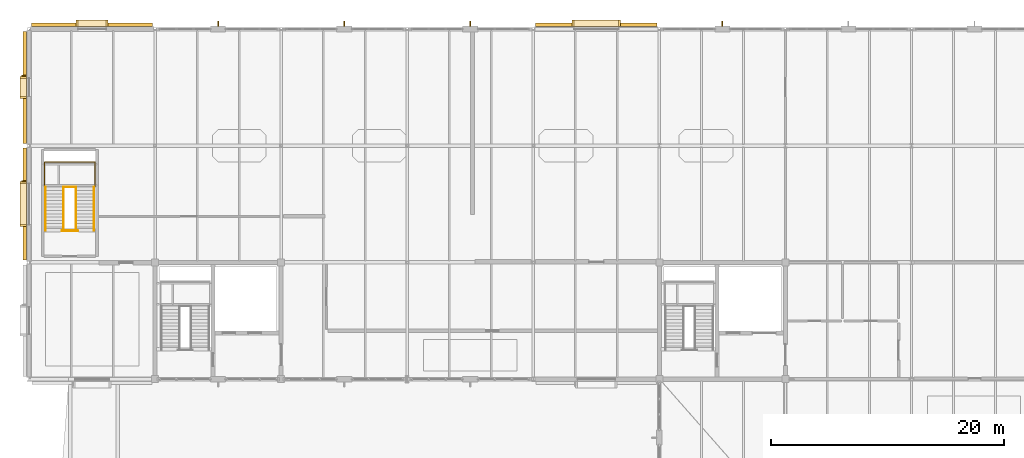
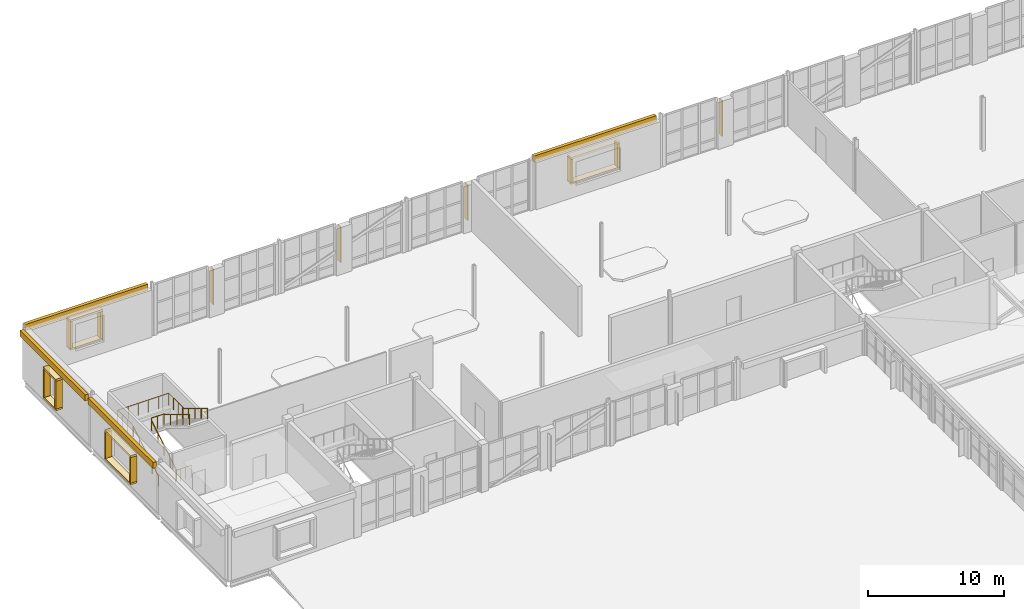
# One storey, part 84 of 86: 20 coverings, 7 railings, 6 shading devices.
"""IFC4 building model written with IfcOpenShell, lengths in metres."""

from ifc_helpers import new_model, si_unit, direction, frame, origin, origin_2d, place, context, subcontext, project, spatial, rectangle, circle, extrude, material, layer, layer_set, type_object, element, save


model = new_model("IFC4")

# Units and contexts
model_context = context("Model", 3, precision=1e-05, world=origin(), true_north=direction((0.0, 1.0)))
body_context = subcontext(model_context, "Body", "Model", "MODEL_VIEW")
ifc_project = project(units=[si_unit("LENGTHUNIT", "METRE"), si_unit("AREAUNIT", "SQUARE_METRE"), si_unit("VOLUMEUNIT", "CUBIC_METRE"), si_unit("PLANEANGLEUNIT", "RADIAN"), si_unit("MASSUNIT", "GRAM", prefix="KILO")], contexts=[model_context])

# Site, building, storey
site_placement = place(None, origin())
site = spatial("IfcSite", under=ifc_project, at=site_placement, CompositionType="ELEMENT")
building_placement = place(site_placement, origin())
building = spatial("IfcBuilding", under=site, at=building_placement, Name="Tasgan Crest Museum", CompositionType="ELEMENT")
storey_placement = place(building_placement, frame((0.0, 0.0, 24.0)))
storey = spatial("IfcBuildingStorey", under=building, at=storey_placement, Name="L04", CompositionType="ELEMENT", Elevation=24.0)

# Coverings
ifc_material_1 = material(Name="Honed Rose-Red Mongolian Granite", Category="masonry")
ifc_layer_1 = layer(ifc_material_1, 0.0400390625, Name="COV-GRANITE-ROSE")
ifc_layer_set_1 = layer_set([ifc_layer_1], Name="Honed Rose-Red Mongolian Granite")
covering_type_1 = type_object("IfcCoveringType", Name="COV-GRANITE-ROSE", PredefinedType="CLADDING", material=ifc_layer_set_1)
for number, where, z_axis, x_axis, name in (
    (1, (50.590087890625, 112.5, 1.0), (0.0, 0.0, 1.0), (-1.0, 0.0, 0.0), "Deep window reveal jamb L04-061"),
    (2, (46.610107421875, 112.5, 1.0), (0.0, 0.0, 1.0), (-1.0, 0.0, 0.0), "Deep window reveal jamb L04-061"),
):
    element("IfcCovering", number, at=place(storey_placement, frame(where, z_axis=z_axis, x_axis=x_axis)), inside=storey, type_object=covering_type_1, Name=name, PredefinedType="CLADDING", context=body_context, shape_type="SweptSolid", body=[
        extrude(rectangle(XDim=0.179931640625, YDim=0.550048828125, at=origin_2d()), origin(), (0.0, 0.0, 1.0), 2.10009765625),
    ])
for number, where, z_axis, x_axis, name in (
    (3, (6.68994140625, 112.5, 1.0), (0.0, 0.0, 1.0), (-1.0, 0.0, 0.0), "Deep window reveal jamb L04-062"),
    (4, (4.110107421875, 112.5, 1.0), (0.0, 0.0, 1.0), (-1.0, 0.0, 0.0), "Deep window reveal jamb L04-062"),
):
    element("IfcCovering", number, at=place(storey_placement, frame(where, z_axis=z_axis, x_axis=x_axis)), inside=storey, type_object=covering_type_1, Name=name, PredefinedType="CLADDING", context=body_context, shape_type="SweptSolid", body=[
        extrude(rectangle(XDim=0.179931640625, YDim=0.550048828125, at=origin_2d()), origin(), (0.0, 0.0, 1.0), 2.39990234375),
    ])
for number, where, z_axis, x_axis, name in (
    (5, (-0.5, 107.864990234375, 1.0), (0.0, 0.0, 1.0), (0.0, -1.0, 0.0), "Deep window reveal jamb L04-063"),
    (6, (-0.5, 106.135009765625, 1.0), (0.0, 0.0, 1.0), (0.0, -1.0, 0.0), "Deep window reveal jamb L04-063"),
):
    element("IfcCovering", number, at=place(storey_placement, frame(where, z_axis=z_axis, x_axis=x_axis)), inside=storey, type_object=covering_type_1, Name=name, PredefinedType="CLADDING", context=body_context, shape_type="SweptSolid", body=[
        extrude(rectangle(XDim=0.179931640625, YDim=0.550048828125, at=origin_2d()), origin(), (0.0, 0.0, 1.0), 2.5),
    ])
for number, where, z_axis, x_axis, name in (
    (7, (-0.5, 98.840087890625, 1.0), (0.0, 0.0, 1.0), (0.0, -1.0, 0.0), "Deep window reveal jamb L04-064"),
    (8, (-0.5, 95.159912109375, 1.0), (0.0, 0.0, 1.0), (0.0, -1.0, 0.0), "Deep window reveal jamb L04-064"),
):
    element("IfcCovering", number, at=place(storey_placement, frame(where, z_axis=z_axis, x_axis=x_axis)), inside=storey, type_object=covering_type_1, Name=name, PredefinedType="CLADDING", context=body_context, shape_type="SweptSolid", body=[
        extrude(rectangle(XDim=0.179931640625, YDim=0.550048828125, at=origin_2d()), origin(), (0.0, 0.0, 1.0), 2.300048828125),
    ])
ifc_material_2 = material(Name="Honed Buff Limestone", Category="masonry")
ifc_layer_2 = layer(ifc_material_2, 0.044921875, Name="COV-LIMESTONE-BUFF")
ifc_layer_set_2 = layer_set([ifc_layer_2], Name="Honed Buff Limestone")
covering_type_2 = type_object("IfcCoveringType", Name="COV-LIMESTONE-BUFF", PredefinedType="CLADDING", material=ifc_layer_set_2)
covering_1_placement = place(storey_placement, frame((48.60009765625, 112.364990234375, 3.9599609375), z_axis=(0.0, 0.0, 1.0), x_axis=(-1.0, 0.0, 0.0)))
element("IfcCovering", 9, at=covering_1_placement, inside=storey, type_object=covering_type_2, Name="Stone frieze cladding L04", PredefinedType="CLADDING", context=body_context, shape_type="SweptSolid", body=[
    extrude(rectangle(XDim=10.387939453125, YDim=0.280029296875, at=origin_2d()), origin(), (0.0, 0.0, 1.0), 0.550048828125),
])
covering_2_placement = place(storey_placement, frame((48.60009765625, 112.5, 3.10009765625), z_axis=(0.0, 0.0, 1.0), x_axis=(-1.0, 0.0, 0.0)))
element("IfcCovering", 10, at=covering_2_placement, inside=storey, type_object=covering_type_2, Name="Deep window hood L04-061", PredefinedType="CLADDING", context=body_context, shape_type="SweptSolid", body=[
    extrude(rectangle(XDim=4.159912109375, YDim=0.550048828125, at=origin_2d()), origin(), (0.0, 0.0, 1.0), 0.179931640625),
])
covering_3_placement = place(storey_placement, frame((48.60009765625, 112.5, 0.85986328125), z_axis=(0.0, 0.0, 1.0), x_axis=(-1.0, 0.0, 0.0)))
element("IfcCovering", 11, at=covering_3_placement, inside=storey, type_object=covering_type_2, Name="Deep window sill L04-061", PredefinedType="CLADDING", context=body_context, shape_type="SweptSolid", body=[
    extrude(rectangle(XDim=4.159912109375, YDim=0.550048828125, at=origin_2d()), origin(), (0.0, 0.0, 1.0), 0.139892578125),
])
covering_4_placement = place(storey_placement, frame((5.39990234375, 112.364990234375, 3.9599609375), z_axis=(0.0, 0.0, 1.0), x_axis=(-1.0, 0.0, 0.0)))
element("IfcCovering", 12, at=covering_4_placement, inside=storey, type_object=covering_type_2, Name="Stone frieze cladding L04", PredefinedType="CLADDING", context=body_context, shape_type="SweptSolid", body=[
    extrude(rectangle(XDim=10.387939453125, YDim=0.280029296875, at=origin_2d()), origin(), (0.0, 0.0, 1.0), 0.550048828125),
])
covering_5_placement = place(storey_placement, frame((5.39990234375, 112.5, 3.39990234375), z_axis=(0.0, 0.0, 1.0), x_axis=(-1.0, 0.0, 0.0)))
element("IfcCovering", 13, at=covering_5_placement, inside=storey, type_object=covering_type_2, Name="Deep window hood L04-062", PredefinedType="CLADDING", context=body_context, shape_type="SweptSolid", body=[
    extrude(rectangle(XDim=2.760009765625, YDim=0.550048828125, at=origin_2d()), origin(), (0.0, 0.0, 1.0), 0.179931640625),
])
covering_6_placement = place(storey_placement, frame((5.39990234375, 112.5, 0.85986328125), z_axis=(0.0, 0.0, 1.0), x_axis=(-1.0, 0.0, 0.0)))
element("IfcCovering", 14, at=covering_6_placement, inside=storey, type_object=covering_type_2, Name="Deep window sill L04-062", PredefinedType="CLADDING", context=body_context, shape_type="SweptSolid", body=[
    extrude(rectangle(XDim=2.760009765625, YDim=0.550048828125, at=origin_2d()), origin(), (0.0, 0.0, 1.0), 0.139892578125),
])
covering_7_placement = place(storey_placement, frame((-0.364990234375, 107.0, 3.9599609375), z_axis=(0.0, 0.0, 1.0), x_axis=(0.0, -1.0, 0.0)))
element("IfcCovering", 15, at=covering_7_placement, inside=storey, type_object=covering_type_2, Name="Stone frieze cladding L04", PredefinedType="CLADDING", context=body_context, shape_type="SweptSolid", body=[
    extrude(rectangle(XDim=9.587890625, YDim=0.280029296875, at=origin_2d()), origin(), (0.0, 0.0, 1.0), 0.550048828125),
])
covering_8_placement = place(storey_placement, frame((-0.5, 107.0, 3.5), z_axis=(0.0, 0.0, 1.0), x_axis=(0.0, -1.0, 0.0)))
element("IfcCovering", 16, at=covering_8_placement, inside=storey, type_object=covering_type_2, Name="Deep window hood L04-063", PredefinedType="CLADDING", context=body_context, shape_type="SweptSolid", body=[
    extrude(rectangle(XDim=1.909912109375, YDim=0.550048828125, at=origin_2d()), origin(), (0.0, 0.0, 1.0), 0.179931640625),
])
covering_9_placement = place(storey_placement, frame((-0.5, 107.0, 0.85986328125), z_axis=(0.0, 0.0, 1.0), x_axis=(0.0, -1.0, 0.0)))
element("IfcCovering", 17, at=covering_9_placement, inside=storey, type_object=covering_type_2, Name="Deep window sill L04-063", PredefinedType="CLADDING", context=body_context, shape_type="SweptSolid", body=[
    extrude(rectangle(XDim=1.909912109375, YDim=0.550048828125, at=origin_2d()), origin(), (0.0, 0.0, 1.0), 0.139892578125),
])
covering_10_placement = place(storey_placement, frame((-0.364990234375, 97.0, 3.9599609375), z_axis=(0.0, 0.0, 1.0), x_axis=(0.0, -1.0, 0.0)))
element("IfcCovering", 18, at=covering_10_placement, inside=storey, type_object=covering_type_2, Name="Stone frieze cladding L04", PredefinedType="CLADDING", context=body_context, shape_type="SweptSolid", body=[
    extrude(rectangle(XDim=9.587890625, YDim=0.280029296875, at=origin_2d()), origin(), (0.0, 0.0, 1.0), 0.550048828125),
])
covering_11_placement = place(storey_placement, frame((-0.5, 97.0, 3.2998046875), z_axis=(0.0, 0.0, 1.0), x_axis=(0.0, -1.0, 0.0)))
element("IfcCovering", 19, at=covering_11_placement, inside=storey, type_object=covering_type_2, Name="Deep window hood L04-064", PredefinedType="CLADDING", context=body_context, shape_type="SweptSolid", body=[
    extrude(rectangle(XDim=3.860107421875, YDim=0.550048828125, at=origin_2d()), origin(), (0.0, 0.0, 1.0), 0.179931640625),
])
covering_12_placement = place(storey_placement, frame((-0.5, 97.0, 0.85986328125), z_axis=(0.0, 0.0, 1.0), x_axis=(0.0, -1.0, 0.0)))
element("IfcCovering", 20, at=covering_12_placement, inside=storey, type_object=covering_type_2, Name="Deep window sill L04-064", PredefinedType="CLADDING", context=body_context, shape_type="SweptSolid", body=[
    extrude(rectangle(XDim=3.860107421875, YDim=0.550048828125, at=origin_2d()), origin(), (0.0, 0.0, 1.0), 0.139892578125),
])

# Railings
ifc_material_3 = material(Name="Brushed Bronze and Toughened Glass", Category="glass")
railing_type_1 = type_object("IfcRailingType", Name="RL-INT-GUARD-1120", PredefinedType="GUARDRAIL", material=ifc_material_3)
railing_1_placement = place(storey_placement, frame((2.820068359375, 94.719970703125, 0.0)))
element("IfcRailing", 21, at=railing_1_placement, inside=storey, type_object=railing_type_1, Name="GALW floor slot guard L04", PredefinedType="GUARDRAIL", context=body_context, shape_type="SweptSolid", body=[
    extrude(circle(Radius=0.02392578125, at=origin_2d()), frame((0.0, 0.0, 1.09619140625), z_axis=(1.0, 0.0, 0.0), x_axis=(0.0, 1.0, 0.0)), (0.0, 0.0, 1.0), 1.35986328125),
    extrude(circle(Radius=0.02099609375, at=origin_2d()), origin(), (0.0, 0.0, 1.0), 1.072021484375),
    extrude(circle(Radius=0.02099609375, at=origin_2d()), frame((0.453369140625, 0.0, 0.0)), (0.0, 0.0, 1.0), 1.072021484375),
    extrude(circle(Radius=0.02099609375, at=origin_2d()), frame((0.906494140625, 0.0, 0.0)), (0.0, 0.0, 1.0), 1.072021484375),
    extrude(circle(Radius=0.02099609375, at=origin_2d()), frame((1.35986328125, 0.0, 0.0)), (0.0, 0.0, 1.0), 1.072021484375),
])
railing_2_placement = place(storey_placement, frame((2.9599609375, 98.47509765625, 2.39990234375)))
element("IfcRailing", 22, at=railing_2_placement, inside=storey, type_object=railing_type_1, Name="Stair half-landing well guard ST-GW-L04 T1", PredefinedType="GUARDRAIL", context=body_context, shape_type="SweptSolid", body=[
    extrude(circle(Radius=0.02392578125, at=origin_2d()), frame((0.0, 0.0, 1.09619140625), z_axis=(1.0, 0.0, 0.0), x_axis=(0.0, 1.0, 0.0)), (0.0, 0.0, 1.0), 1.080078125),
    extrude(circle(Radius=0.02099609375, at=origin_2d()), origin(), (0.0, 0.0, 1.0), 1.072021484375),
    extrude(circle(Radius=0.02099609375, at=origin_2d()), frame((0.5400390625, 0.0, 0.0)), (0.0, 0.0, 1.0), 1.072021484375),
    extrude(circle(Radius=0.02099609375, at=origin_2d()), frame((1.080078125, 0.0, 0.0)), (0.0, 0.0, 1.0), 1.072021484375),
])
railing_3_placement = place(storey_placement, frame((1.340087890625, 98.4951171875, 2.39990234375)))
element("IfcRailing", 23, at=railing_3_placement, inside=storey, type_object=railing_type_1, Name="Stair half-landing perimeter guard ST-GW-L04 T1", PredefinedType="GUARDRAIL", context=body_context, shape_type="SweptSolid", body=[
    extrude(circle(Radius=0.02392578125, at=origin_2d()), frame((0.0, 0.0, 1.09619140625), z_axis=(0.0, 1.0, 0.0), x_axis=(-1.0, 0.0, 0.0)), (0.0, 0.0, 1.0), 2.099853515625),
    extrude(circle(Radius=0.02392578125, at=origin_2d()), frame((0.0, 2.099853515625, 1.09619140625), z_axis=(1.0, 0.0, 0.0), x_axis=(0.0, 1.0, 0.0)), (0.0, 0.0, 1.0), 4.31982421875),
    extrude(circle(Radius=0.02392578125, at=origin_2d()), frame((4.31982421875, 2.099853515625, 1.09619140625), z_axis=(0.0, -1.0, 0.0), x_axis=(1.0, 0.0, 0.0)), (0.0, 0.0, 1.0), 2.099853515625),
    extrude(circle(Radius=0.02099609375, at=origin_2d()), origin(), (0.0, 0.0, 1.0), 1.072021484375),
    extrude(circle(Radius=0.02099609375, at=origin_2d()), frame((0.0, 0.699951171875, 0.0)), (0.0, 0.0, 1.0), 1.072021484375),
    extrude(circle(Radius=0.02099609375, at=origin_2d()), frame((0.0, 1.39990234375, 0.0)), (0.0, 0.0, 1.0), 1.072021484375),
    extrude(circle(Radius=0.02099609375, at=origin_2d()), frame((0.0, 2.099853515625, 0.0)), (0.0, 0.0, 1.0), 1.072021484375),
    extrude(circle(Radius=0.02099609375, at=origin_2d()), frame((0.864013671875, 2.099853515625, 0.0)), (0.0, 0.0, 1.0), 1.072021484375),
    extrude(circle(Radius=0.02099609375, at=origin_2d()), frame((1.72802734375, 2.099853515625, 0.0)), (0.0, 0.0, 1.0), 1.072021484375),
    extrude(circle(Radius=0.02099609375, at=origin_2d()), frame((2.591796875, 2.099853515625, 0.0)), (0.0, 0.0, 1.0), 1.072021484375),
    extrude(circle(Radius=0.02099609375, at=origin_2d()), frame((3.455810546875, 2.099853515625, 0.0)), (0.0, 0.0, 1.0), 1.072021484375),
    extrude(circle(Radius=0.02099609375, at=origin_2d()), frame((4.31982421875, 2.099853515625, 0.0)), (0.0, 0.0, 1.0), 1.072021484375),
    extrude(circle(Radius=0.02099609375, at=origin_2d()), frame((4.31982421875, 1.39990234375, 0.0)), (0.0, 0.0, 1.0), 1.072021484375),
    extrude(circle(Radius=0.02099609375, at=origin_2d()), frame((4.31982421875, 0.699951171875, 0.0)), (0.0, 0.0, 1.0), 1.072021484375),
    extrude(circle(Radius=0.02099609375, at=origin_2d()), frame((4.31982421875, 0.0, 0.0)), (0.0, 0.0, 1.0), 1.072021484375),
])
ifc_material_4 = material(Name="Brushed Stainless Steel", Category="steel")
railing_type_2 = type_object("IfcRailingType", Name="RL-STAIR-HAND-920", PredefinedType="HANDRAIL", material=ifc_material_4)
for number, where, name in (
    (24, (1.419921875, 94.75, 0.17138671875), "Stair handrail STAIR-GALW-L04-F1 L"),
    (25, (2.9599609375, 94.75, 0.17138671875), "Stair handrail STAIR-GALW-L04-F1 R"),
):
    element("IfcRailing", number, at=place(storey_placement, frame(where)), inside=storey, type_object=railing_type_2, Name=name, PredefinedType="HANDRAIL", context=body_context, shape_type="SweptSolid", body=[
        extrude(circle(Radius=0.02392578125, at=origin_2d()), frame((0.0, 0.0, 0.89599609375), z_axis=(0.0, 0.856934400257, 0.515425487977), x_axis=(-1.0, 0.0, 0.0)), (0.0, 0.0, 1.0), 4.32373046875),
        extrude(circle(Radius=0.02099609375, at=origin_2d()), origin(), (0.0, 0.0, 1.0), 0.871826171875),
        extrude(circle(Radius=0.02099609375, at=origin_2d()), frame((0.0, 0.92626953125, 0.55712890625)), (0.0, 0.0, 1.0), 0.871826171875),
        extrude(circle(Radius=0.02099609375, at=origin_2d()), frame((0.0, 1.8525390625, 1.1142578125)), (0.0, 0.0, 1.0), 0.871826171875),
        extrude(circle(Radius=0.02099609375, at=origin_2d()), frame((0.0, 2.77880859375, 1.67138671875)), (0.0, 0.0, 1.0), 0.871826171875),
        extrude(circle(Radius=0.02099609375, at=origin_2d()), frame((0.0, 3.705078125, 2.228515625)), (0.0, 0.0, 1.0), 0.871826171875),
    ])
for number, where, name in (
    (26, (5.580078125, 98.455078125, 2.5712890625), "Stair handrail STAIR-GALW-L04-F2 L"),
    (27, (4.0400390625, 98.455078125, 2.5712890625), "Stair handrail STAIR-GALW-L04-F2 R"),
):
    element("IfcRailing", number, at=place(storey_placement, frame(where)), inside=storey, type_object=railing_type_2, Name=name, PredefinedType="HANDRAIL", context=body_context, shape_type="SweptSolid", body=[
        extrude(circle(Radius=0.02392578125, at=origin_2d()), frame((0.0, 0.0, 0.89599609375), z_axis=(0.0, -0.856909459561, 0.515466951525), x_axis=(1.0, 0.0, 0.0)), (0.0, 0.0, 1.0), 4.32373046875),
        extrude(circle(Radius=0.02099609375, at=origin_2d()), origin(), (0.0, 0.0, 1.0), 0.871826171875),
        extrude(circle(Radius=0.02099609375, at=origin_2d()), frame((0.0, -0.92626953125, 0.55712890625)), (0.0, 0.0, 1.0), 0.871826171875),
        extrude(circle(Radius=0.02099609375, at=origin_2d()), frame((0.0, -1.8525390625, 1.1142578125)), (0.0, 0.0, 1.0), 0.871826171875),
        extrude(circle(Radius=0.02099609375, at=origin_2d()), frame((0.0, -2.77880859375, 1.671630859375)), (0.0, 0.0, 1.0), 0.871826171875),
        extrude(circle(Radius=0.02099609375, at=origin_2d()), frame((0.0, -3.705078125, 2.228759765625)), (0.0, 0.0, 1.0), 0.871826171875),
    ])

# Shading devices
ifc_material_5 = material(Name="Anodised Bronze Aluminium", Category="aluminium")
shading_device_type = type_object("IfcShadingDeviceType", Name="SH-FIN-V400", PredefinedType="JALOUSIE", material=ifc_material_5)
for number, where, z_axis, x_axis, name in (
    (28, (59.39990234375, 112.449951171875, 0.68017578125), (0.0, 0.0, 1.0), (-1.0, 0.0, 0.0), "Facade pier solar fin L04"),
    (29, (37.800048828125, 112.449951171875, 0.68017578125), (0.0, 0.0, 1.0), (-1.0, 0.0, 0.0), "Facade pier solar fin L04"),
    (30, (27.0, 112.449951171875, 0.68017578125), (0.0, 0.0, 1.0), (-1.0, 0.0, 0.0), "Facade pier solar fin L04"),
    (31, (16.199951171875, 112.449951171875, 0.68017578125), (0.0, 0.0, 1.0), (-1.0, 0.0, 0.0), "Facade pier solar fin L04"),
):
    element("IfcShadingDevice", number, at=place(storey_placement, frame(where, z_axis=z_axis, x_axis=x_axis)), inside=storey, type_object=shading_device_type, Name=name, PredefinedType="JALOUSIE", context=body_context, shape_type="SweptSolid", body=[
        extrude(rectangle(XDim=0.080078125, YDim=0.419921875, at=origin_2d()), origin(), (0.0, 0.0, 1.0), 3.199951171875),
    ])
shading_device_1_placement = place(storey_placement, frame((-0.43505859375, 107.9951171875, 0.89990234375), z_axis=(0.0, 0.0, 1.0), x_axis=(0.0, -1.0, 0.0)))
element("IfcShadingDevice", 32, at=shading_device_1_placement, inside=storey, type_object=shading_device_type, Name="Solar shading fin L04-063", PredefinedType="JALOUSIE", context=body_context, shape_type="SweptSolid", body=[
    extrude(rectangle(XDim=0.080078125, YDim=0.419921875, at=origin_2d()), origin(), (0.0, 0.0, 1.0), 2.699951171875),
])
shading_device_2_placement = place(storey_placement, frame((-0.43505859375, 98.969970703125, 0.89990234375), z_axis=(0.0, 0.0, 1.0), x_axis=(0.0, -1.0, 0.0)))
element("IfcShadingDevice", 33, at=shading_device_2_placement, inside=storey, type_object=shading_device_type, Name="Solar shading fin L04-064", PredefinedType="JALOUSIE", context=body_context, shape_type="SweptSolid", body=[
    extrude(rectangle(XDim=0.080078125, YDim=0.419921875, at=origin_2d()), origin(), (0.0, 0.0, 1.0), 2.5),
])

save(model, "model.ifc")
